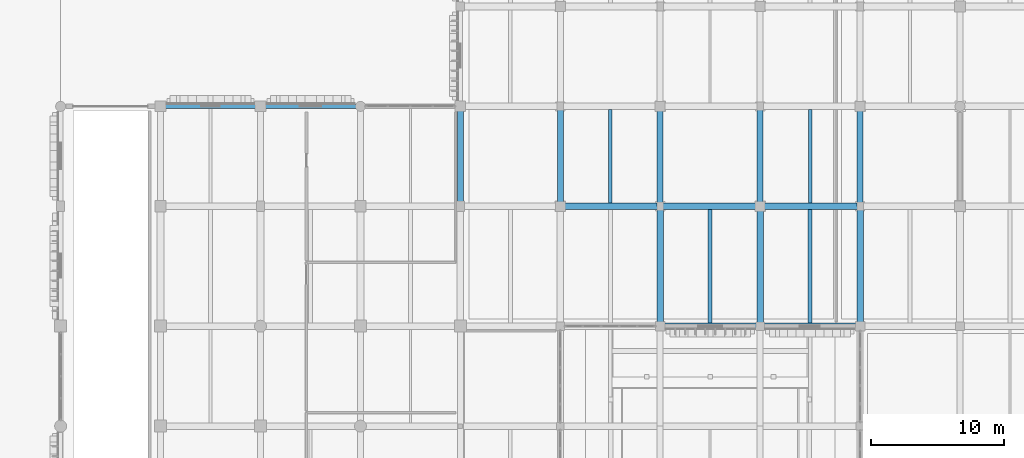
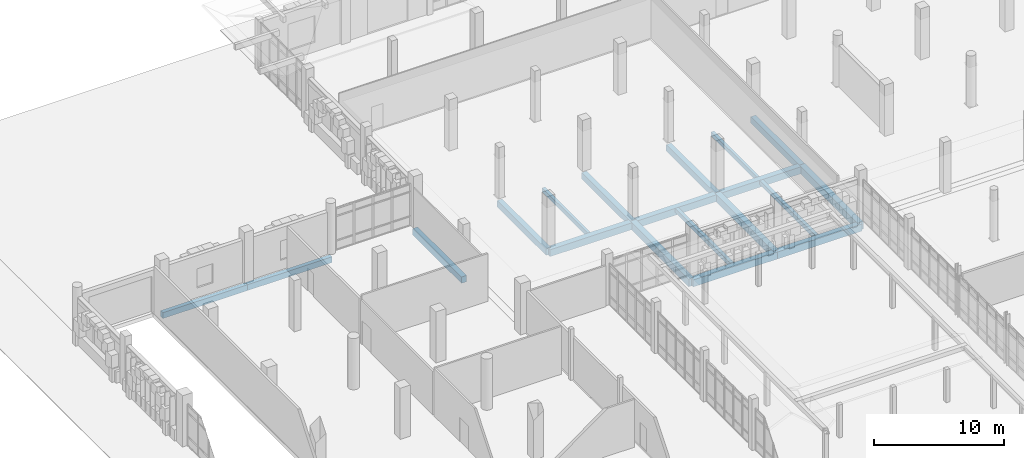
# One storey, part 44 of 125: 19 beams.
"""IFC4 building model written with IfcOpenShell, lengths in metres."""

from ifc_helpers import new_model, si_unit, direction, frame, origin, origin_2d, place, context, subcontext, project, spatial, rectangle, extrude, material, material_profile, profile_set, type_object, element, save


model = new_model("IFC4")

# Units and contexts
model_context = context("Model", 3, precision=1e-05, world=origin(), true_north=direction((0.0, 1.0)))
body_context = subcontext(model_context, "Body", "Model", "MODEL_VIEW")
ifc_project = project(units=[si_unit("LENGTHUNIT", "METRE"), si_unit("AREAUNIT", "SQUARE_METRE"), si_unit("VOLUMEUNIT", "CUBIC_METRE"), si_unit("PLANEANGLEUNIT", "RADIAN"), si_unit("MASSUNIT", "GRAM", prefix="KILO")], contexts=[model_context])

# Site, building, storey
site_placement = place(None, origin())
site = spatial("IfcSite", under=ifc_project, at=site_placement, CompositionType="ELEMENT")
building_placement = place(site_placement, origin())
building = spatial("IfcBuilding", under=site, at=building_placement, Name="Dalvernix Boulevard General Hospital", CompositionType="ELEMENT")
storey_placement = place(building_placement, origin())
storey = spatial("IfcBuildingStorey", under=building, at=storey_placement, Name="L00", CompositionType="ELEMENT", Elevation=0.0)

# Beams
ifc_material = material(Name="Concrete C35/45", Category="concrete")
ifc_material_profile_1 = material_profile(ifc_material, rectangle(XDim=0.5, YDim=0.699951171875, at=origin_2d()), Name="RCB 500x700")
ifc_profile_set_1 = profile_set([ifc_material_profile_1], Name="Concrete C35/45")
beam_type_1 = type_object("IfcBeamType", Name="BM-B-01-I", PredefinedType="BEAM", material=ifc_profile_set_1)
for number, where, z_axis, x_axis, name in (
    (1, (45.0, 76.5, -0.7099609375), (0.0, 1.0, 0.0), (-1.0, 0.0, 0.0), "L00 N-S girder 7:L-M"),
    (2, (52.5, 76.5, -0.7099609375), (0.0, 1.0, 0.0), (-1.0, 0.0, 0.0), "L00 N-S girder 8:L-M"),
    (3, (60.0, 76.5, -0.7099609375), (0.0, 1.0, 0.0), (-1.0, 0.0, 0.0), "L00 N-S girder 9:L-M"),
):
    element("IfcBeam", number, at=place(storey_placement, frame(where, z_axis=z_axis, x_axis=x_axis)), inside=storey, type_object=beam_type_1, Name=name, PredefinedType="BEAM", context=body_context, shape_type="SweptSolid", body=[
        extrude(rectangle(XDim=0.5, YDim=0.699951171875, at=origin_2d()), origin(), (0.0, 0.0, 1.0), 9.0),
    ])
ifc_material_profile_2 = material_profile(ifc_material, rectangle(XDim=0.5, YDim=0.64990234375, at=origin_2d()), Name="RCB 500x650")
ifc_profile_set_2 = profile_set([ifc_material_profile_2], Name="Concrete C35/45")
beam_type_2 = type_object("IfcBeamType", Name="BM-B-02-I", PredefinedType="BEAM", material=ifc_profile_set_2)
for number, where, z_axis, x_axis, name in (
    (4, (45.0, 76.5, -0.68505859375), (1.0, 0.0, 0.0), (0.0, 1.0, 0.0), "L00 E-W girder L:7-8"),
    (5, (52.5, 76.5, -0.68505859375), (1.0, 0.0, 0.0), (0.0, 1.0, 0.0), "L00 E-W girder L:8-9"),
    (6, (37.5, 85.5, -0.68505859375), (1.0, 0.0, 0.0), (0.0, 1.0, 0.0), "L00 E-W girder M:6-7"),
    (7, (45.0, 85.5, -0.68505859375), (1.0, 0.0, 0.0), (0.0, 1.0, 0.0), "L00 E-W girder M:7-8"),
    (8, (52.5, 85.5, -0.68505859375), (1.0, 0.0, 0.0), (0.0, 1.0, 0.0), "L00 E-W girder M:8-9"),
):
    element("IfcBeam", number, at=place(storey_placement, frame(where, z_axis=z_axis, x_axis=x_axis)), inside=storey, type_object=beam_type_2, Name=name, PredefinedType="BEAM", context=body_context, shape_type="SweptSolid", body=[
        extrude(rectangle(XDim=0.5, YDim=0.64990234375, at=origin_2d()), origin(), (0.0, 0.0, 1.0), 7.5),
    ])
ifc_material_profile_3 = material_profile(ifc_material, rectangle(XDim=0.449951171875, YDim=0.60009765625, at=origin_2d()), Name="RCB 450x600")
ifc_profile_set_3 = profile_set([ifc_material_profile_3], Name="Concrete C35/45")
beam_type_3 = type_object("IfcBeamType", Name="BM-B-04-I", PredefinedType="BEAM", material=ifc_profile_set_3)
for number, where, z_axis, x_axis, name in (
    (9, (30.0, 85.5, -0.659912109375), (0.0, 1.0, 0.0), (-1.0, 0.0, 0.0), "L00 N-S girder 5:M-N"),
    (10, (37.5, 85.5, -0.659912109375), (0.0, 1.0, 0.0), (-1.0, 0.0, 0.0), "L00 N-S girder 6:M-N"),
    (11, (45.0, 85.5, -0.659912109375), (0.0, 1.0, 0.0), (-1.0, 0.0, 0.0), "L00 N-S girder 7:M-N"),
    (12, (52.5, 85.5, -0.659912109375), (0.0, 1.0, 0.0), (-1.0, 0.0, 0.0), "L00 N-S girder 8:M-N"),
    (13, (60.0, 85.5, -0.659912109375), (0.0, 1.0, 0.0), (-1.0, 0.0, 0.0), "L00 N-S girder 9:M-N"),
):
    element("IfcBeam", number, at=place(storey_placement, frame(where, z_axis=z_axis, x_axis=x_axis)), inside=storey, type_object=beam_type_3, Name=name, PredefinedType="BEAM", context=body_context, shape_type="SweptSolid", body=[
        extrude(rectangle(XDim=0.449951171875, YDim=0.60009765625, at=origin_2d()), origin(), (0.0, 0.0, 1.0), 7.5),
    ])
ifc_material_profile_4 = material_profile(ifc_material, rectangle(XDim=0.300048828125, YDim=0.39990234375, at=origin_2d()), Name="RCB 300x400")
ifc_profile_set_4 = profile_set([ifc_material_profile_4], Name="Concrete C35/45")
beam_type_4 = type_object("IfcBeamType", Name="BM-JB-01", PredefinedType="JOIST", material=ifc_profile_set_4)
for number, where, z_axis, x_axis, name in (
    (14, (48.75, 76.75, -0.56005859375), (0.0, 1.0, 0.0), (-1.0, 0.0, 0.0), "L00 secondary floor beam 7-L"),
    (15, (56.25, 76.75, -0.56005859375), (0.0, 1.0, 0.0), (-1.0, 0.0, 0.0), "L00 secondary floor beam 8-L"),
):
    element("IfcBeam", number, at=place(storey_placement, frame(where, z_axis=z_axis, x_axis=x_axis)), inside=storey, type_object=beam_type_4, Name=name, PredefinedType="JOIST", context=body_context, shape_type="SweptSolid", body=[
        extrude(rectangle(XDim=0.300048828125, YDim=0.39990234375, at=origin_2d()), origin(), (0.0, 0.0, 1.0), 8.5),
    ])
ifc_material_profile_5 = material_profile(ifc_material, rectangle(XDim=0.25, YDim=0.39990234375, at=origin_2d()), Name="RCB 250x400")
ifc_profile_set_5 = profile_set([ifc_material_profile_5], Name="Concrete C35/45")
beam_type_5 = type_object("IfcBeamType", Name="BM-JB-02", PredefinedType="JOIST", material=ifc_profile_set_5)
for number, where, z_axis, x_axis, name in (
    (16, (41.25, 85.75, -0.56005859375), (0.0, 1.0, 0.0), (-1.0, 0.0, 0.0), "L00 secondary floor beam 6-M"),
    (17, (56.25, 85.75, -0.56005859375), (0.0, 1.0, 0.0), (-1.0, 0.0, 0.0), "L00 secondary floor beam 8-M"),
):
    element("IfcBeam", number, at=place(storey_placement, frame(where, z_axis=z_axis, x_axis=x_axis)), inside=storey, type_object=beam_type_5, Name=name, PredefinedType="JOIST", context=body_context, shape_type="SweptSolid", body=[
        extrude(rectangle(XDim=0.25, YDim=0.39990234375, at=origin_2d()), origin(), (0.0, 0.0, 1.0), 7.0),
    ])
ifc_material_profile_6 = material_profile(ifc_material, rectangle(XDim=0.35009765625, YDim=0.550048828125, at=origin_2d()), Name="RCB 350x550")
ifc_profile_set_6 = profile_set([ifc_material_profile_6], Name="Concrete C35/45")
beam_type_6 = type_object("IfcBeamType", Name="BM-SB-01-E", PredefinedType="SPANDREL", material=ifc_profile_set_6)
for number, where, z_axis, x_axis, name in (
    (18, (7.5, 93.0, -0.635009765625), (1.0, 0.0, 0.0), (0.0, 1.0, 0.0), "L00 E-W girder N:2-3"),
    (19, (15.0, 93.0, -0.635009765625), (1.0, 0.0, 0.0), (0.0, 1.0, 0.0), "L00 E-W girder N:3-4"),
):
    element("IfcBeam", number, at=place(storey_placement, frame(where, z_axis=z_axis, x_axis=x_axis)), inside=storey, type_object=beam_type_6, Name=name, PredefinedType="SPANDREL", context=body_context, shape_type="SweptSolid", body=[
        extrude(rectangle(XDim=0.35009765625, YDim=0.550048828125, at=origin_2d()), origin(), (0.0, 0.0, 1.0), 7.5),
    ])

save(model, "model.ifc")
